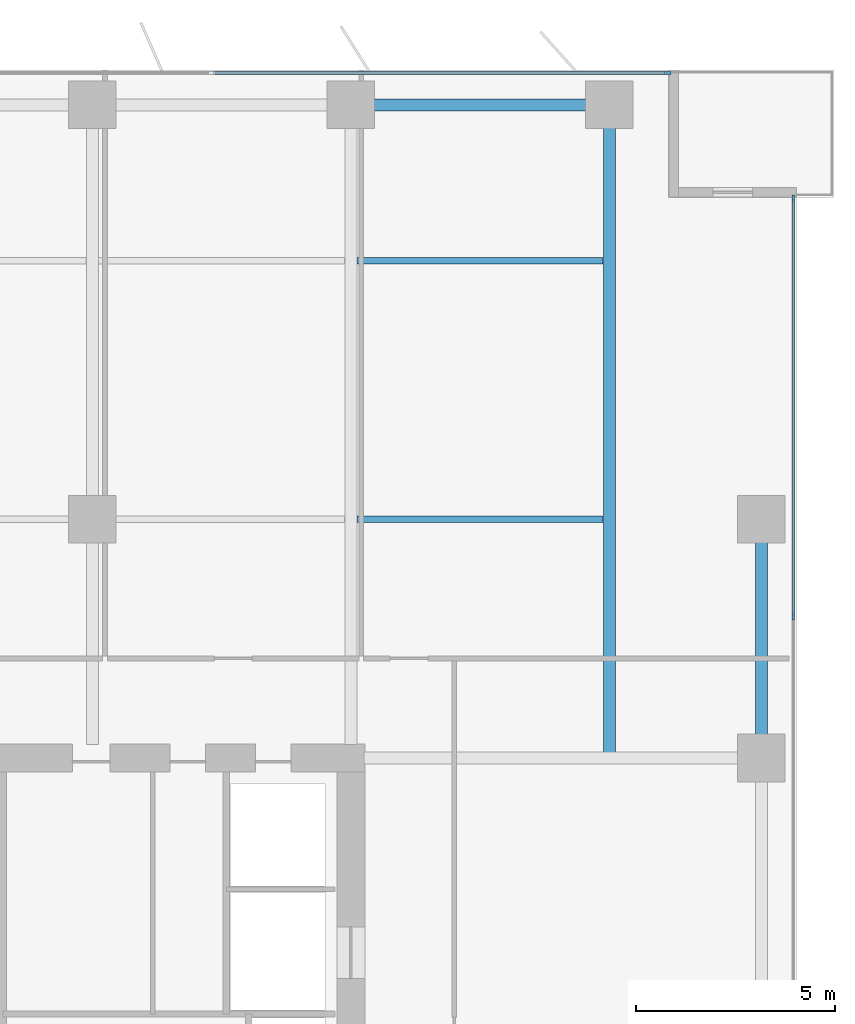
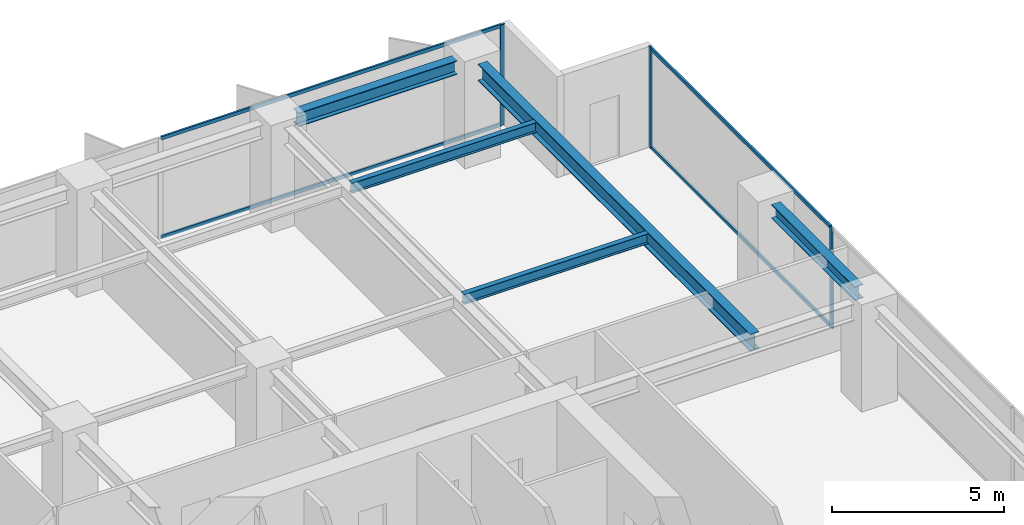
# One storey, part 11 of 20: 7 members, 5 beams, 2 elements without a shape of their own.
"""IFC4 building model written with IfcOpenShell, lengths in metres."""

from ifc_helpers import new_model, si_unit, direction, frame, origin, origin_2d, place, context, subcontext, project, spatial, rectangle, i_section, extrude, material, layer, layer_set, material_profile, profile_set, type_object, element, aggregate, save


model = new_model("IFC4")

# Units and contexts
model_context = context("Model", 3, precision=1e-05, world=origin(), true_north=direction((0.0, 1.0)))
body_context = subcontext(model_context, "Body", "Model", "MODEL_VIEW")
ifc_project = project(units=[si_unit("LENGTHUNIT", "METRE"), si_unit("AREAUNIT", "SQUARE_METRE"), si_unit("VOLUMEUNIT", "CUBIC_METRE"), si_unit("PLANEANGLEUNIT", "RADIAN"), si_unit("MASSUNIT", "GRAM", prefix="KILO")], contexts=[model_context])

# Site, building, storey
site_placement = place(None, origin())
site = spatial("IfcSite", under=ifc_project, at=site_placement, CompositionType="ELEMENT")
building_placement = place(site_placement, origin())
building = spatial("IfcBuilding", under=site, at=building_placement, Name="Putna Gate Headquarters", CompositionType="ELEMENT")
storey_placement = place(building_placement, frame((0.0, 0.0, 124.0)))
storey = spatial("IfcBuildingStorey", under=building, at=storey_placement, Name="L30", CompositionType="ELEMENT", Elevation=124.0)

# Beams
ifc_material_1 = material(Name="Steel S355J2", Category="steel")
ifc_material_profile_1 = material_profile(ifc_material_1, i_section(OverallWidth=0.300048828125, OverallDepth=0.60009765625, WebThickness=0.015380859375, FlangeThickness=0.030029296875, at=origin_2d()), Name="Steel S355J2")
ifc_profile_set_1 = profile_set([ifc_material_profile_1], Name="Steel S355J2")
beam_type_1 = type_object("IfcBeamType", Name="BM-GIRD-Z2-HEB600", PredefinedType="USERDEFINED", material=ifc_profile_set_1)
beam_1_placement = place(storey_placement, frame((71.5, 33.011962890625, 3.264892578125), z_axis=(0.0, 1.0, 0.0), x_axis=(-1.0, 0.0, 0.0)))
element("IfcBeam", 1, at=beam_1_placement, inside=storey, type_object=beam_type_1, Name="L30 North Primary Girder X71", ObjectType="GIRDER", PredefinedType="USERDEFINED", context=body_context, shape_type="SweptSolid", body=[
    extrude(i_section(OverallWidth=0.300048828125, OverallDepth=0.60009765625, WebThickness=0.015380859375, FlangeThickness=0.030029296875, at=origin_2d()), origin(), (0.0, 0.0, 1.0), 15.820068359375),
])
ifc_material_profile_2 = material_profile(ifc_material_1, i_section(OverallWidth=0.169921875, OverallDepth=0.360107421875, WebThickness=0.008056640625, FlangeThickness=0.0126953125, at=origin_2d()), Name="Steel S355J2")
ifc_profile_set_2 = profile_set([ifc_material_profile_2], Name="Steel S355J2")
beam_type_2 = type_object("IfcBeamType", Name="BM-SEC-Z2-IPE360", PredefinedType="BEAM", material=ifc_profile_set_2)
for number, where, z_axis, x_axis, name in (
    (2, (65.154052734375, 39.0, 3.385009765625), (1.0, 0.0, 0.0), (0.0, 1.0, 0.0), "L30 North Secondary Beam 10"),
    (3, (65.154052734375, 45.5, 3.385009765625), (1.0, 0.0, 0.0), (0.0, 1.0, 0.0), "L30 North Secondary Beam 10"),
):
    element("IfcBeam", number, at=place(storey_placement, frame(where, z_axis=z_axis, x_axis=x_axis)), inside=storey, type_object=beam_type_2, Name=name, PredefinedType="BEAM", context=body_context, shape_type="SweptSolid", body=[
        extrude(i_section(OverallWidth=0.169921875, OverallDepth=0.360107421875, WebThickness=0.008056640625, FlangeThickness=0.0126953125, at=origin_2d()), origin(), (0.0, 0.0, 1.0), 6.19189453125),
    ])
ifc_material_profile_3 = material_profile(ifc_material_1, i_section(OverallWidth=0.300048828125, OverallDepth=0.489990234375, WebThickness=0.011962890625, FlangeThickness=0.02294921875, at=origin_2d()), Name="Steel S355J2")
ifc_profile_set_3 = profile_set([ifc_material_profile_3], Name="Steel S355J2")
beam_type_3 = type_object("IfcBeamType", Name="BM-SPAN-Z2-HEA500", PredefinedType="SPANDREL", material=ifc_profile_set_3)
beam_2_placement = place(storey_placement, frame((65.587890625, 49.419921875, 3.320068359375), z_axis=(1.0, 0.0, 0.0), x_axis=(0.0, 1.0, 0.0)))
element("IfcBeam", 4, at=beam_2_placement, inside=storey, type_object=beam_type_3, Name="L30 N Perimeter Spandrel 10", PredefinedType="SPANDREL", context=body_context, shape_type="SweptSolid", body=[
    extrude(i_section(OverallWidth=0.300048828125, OverallDepth=0.489990234375, WebThickness=0.011962890625, FlangeThickness=0.02294921875, at=origin_2d()), origin(), (0.0, 0.0, 1.0), 5.32421875),
])
beam_3_placement = place(storey_placement, frame((75.320068359375, 33.587890625, 3.320068359375), z_axis=(0.0, 1.0, 0.0), x_axis=(-1.0, 0.0, 0.0)))
element("IfcBeam", 5, at=beam_3_placement, inside=storey, type_object=beam_type_3, Name="L30 E End Spandrel 3", PredefinedType="SPANDREL", context=body_context, shape_type="SweptSolid", body=[
    extrude(i_section(OverallWidth=0.300048828125, OverallDepth=0.489990234375, WebThickness=0.011962890625, FlangeThickness=0.02294921875, at=origin_2d()), origin(), (0.0, 0.0, 1.0), 4.82421875),
])

# Curtain wall, member
ifc_material_2 = material(Name="Anodised bronze aluminium curtain wall", Category="aluminium")
ifc_layer = layer(ifc_material_2, 0.159912109375)
ifc_layer_set = layer_set([ifc_layer], Name="Anodised bronze aluminium curtain wall")
curtain_wall_type = type_object("IfcCurtainWallType", Name="CW-SYS-Z2", PredefinedType="USERDEFINED", material=ifc_layer_set)
curtain_wall_1_placement = place(storey_placement, origin())
curtain_wall_1 = element("IfcCurtainWall", 6, at=curtain_wall_1_placement, inside=storey, type_object=curtain_wall_type, Name="L30 North East Curtain Wall", ObjectType="STICK CURTAIN WALL", PredefinedType="USERDEFINED")
ifc_material_3 = material(Name="Anodised bronze aluminium EN AW-6060", Category="aluminium")
ifc_material_profile_4 = material_profile(ifc_material_3, rectangle(XDim=0.06494140625, YDim=0.159912109375, at=origin_2d()), Name="Anodised bronze aluminium EN AW-6060")
ifc_profile_set_4 = profile_set([ifc_material_profile_4], Name="Anodised bronze aluminium EN AW-6060")
member_type_1 = type_object("IfcMemberType", Name="MULL-CWM-2", PredefinedType="MULLION", material=ifc_profile_set_4)
member_1_placement = place(storey_placement, frame((72.967529296875, 50.219970703125, 0.0), z_axis=(0.0, 0.0, 1.0), x_axis=(0.0, 1.0, 0.0)))
member_1 = element("IfcMember", 7, at=member_1_placement, type_object=member_type_1, Name="CWS-2 mullion 3", PredefinedType="MULLION", context=body_context, shape_type="SweptSolid", body=[
    extrude(rectangle(XDim=0.06494140625, YDim=0.159912109375, at=origin_2d()), origin(), (0.0, 0.0, 1.0), 3.56494140625),
])

# Curtain wall, members
curtain_wall_2_placement = place(storey_placement, origin())
curtain_wall_2 = element("IfcCurtainWall", 8, at=curtain_wall_2_placement, inside=storey, type_object=curtain_wall_type, Name="L30 East Curtain Wall", ObjectType="STICK CURTAIN WALL", PredefinedType="USERDEFINED")
member_2_placement = place(storey_placement, frame((76.1201171875, 36.550048828125, 0.0), z_axis=(0.0, 0.0, 1.0), x_axis=(-1.0, 0.0, 0.0)))
member_2 = element("IfcMember", 9, at=member_2_placement, type_object=member_type_1, Name="CWS-2 mullion 4", PredefinedType="MULLION", context=body_context, shape_type="SweptSolid", body=[
    extrude(rectangle(XDim=0.06494140625, YDim=0.159912109375, at=origin_2d()), origin(), (0.0, 0.0, 1.0), 3.56494140625),
])
member_3_placement = place(storey_placement, frame((76.1201171875, 47.0673828125, 0.0), z_axis=(0.0, 0.0, 1.0), x_axis=(-1.0, 0.0, 0.0)))
member_3 = element("IfcMember", 10, at=member_3_placement, type_object=member_type_1, Name="CWS-2 mullion 5", PredefinedType="MULLION", context=body_context, shape_type="SweptSolid", body=[
    extrude(rectangle(XDim=0.06494140625, YDim=0.159912109375, at=origin_2d()), origin(), (0.0, 0.0, 1.0), 3.56494140625),
])

# Member
ifc_material_profile_5 = material_profile(ifc_material_3, rectangle(XDim=0.06494140625, YDim=0.1201171875, at=origin_2d()), Name="Anodised bronze aluminium EN AW-6060")
ifc_profile_set_5 = profile_set([ifc_material_profile_5], Name="Anodised bronze aluminium EN AW-6060")
member_type_2 = type_object("IfcMemberType", Name="TRAN-CWT-2", PredefinedType="USERDEFINED", material=ifc_profile_set_5)
member_4_placement = place(storey_placement, frame((61.532470703125, 50.219970703125, 0.032470703125), z_axis=(1.0, 0.0, 0.0), x_axis=(0.0, 1.0, 0.0)))
member_4 = element("IfcMember", 11, at=member_4_placement, type_object=member_type_2, Name="CWS-2 transom 2.1", ObjectType="TRANSOM", PredefinedType="USERDEFINED", context=body_context, shape_type="SweptSolid", body=[
    extrude(rectangle(XDim=0.06494140625, YDim=0.1201171875, at=origin_2d()), origin(), (0.0, 0.0, 1.0), 11.402587890625),
])

member_5_placement = place(storey_placement, frame((61.532470703125, 50.219970703125, 3.532470703125), z_axis=(1.0, 0.0, 0.0), x_axis=(0.0, 1.0, 0.0)))
member_5 = element("IfcMember", 12, at=member_5_placement, type_object=member_type_2, Name="CWS-2 transom 2.2", ObjectType="TRANSOM", PredefinedType="USERDEFINED", context=body_context, shape_type="SweptSolid", body=[
    extrude(rectangle(XDim=0.06494140625, YDim=0.1201171875, at=origin_2d()), origin(), (0.0, 0.0, 1.0), 11.402587890625),
])

aggregate(curtain_wall_1, [member_1, member_4, member_5])

member_6_placement = place(storey_placement, frame((76.1201171875, 36.58251953125, 0.032470703125), z_axis=(0.0, 1.0, 0.0), x_axis=(-1.0, 0.0, 0.0)))
member_6 = element("IfcMember", 13, at=member_6_placement, type_object=member_type_2, Name="CWS-2 transom 4.1", ObjectType="TRANSOM", PredefinedType="USERDEFINED", context=body_context, shape_type="SweptSolid", body=[
    extrude(rectangle(XDim=0.06494140625, YDim=0.1201171875, at=origin_2d()), origin(), (0.0, 0.0, 1.0), 10.452392578125),
])

member_7_placement = place(storey_placement, frame((76.1201171875, 36.58251953125, 3.532470703125), z_axis=(0.0, 1.0, 0.0), x_axis=(-1.0, 0.0, 0.0)))
member_7 = element("IfcMember", 14, at=member_7_placement, type_object=member_type_2, Name="CWS-2 transom 4.2", ObjectType="TRANSOM", PredefinedType="USERDEFINED", context=body_context, shape_type="SweptSolid", body=[
    extrude(rectangle(XDim=0.06494140625, YDim=0.1201171875, at=origin_2d()), origin(), (0.0, 0.0, 1.0), 10.452392578125),
])

aggregate(curtain_wall_2, [member_2, member_3, member_6, member_7])

save(model, "model.ifc")
